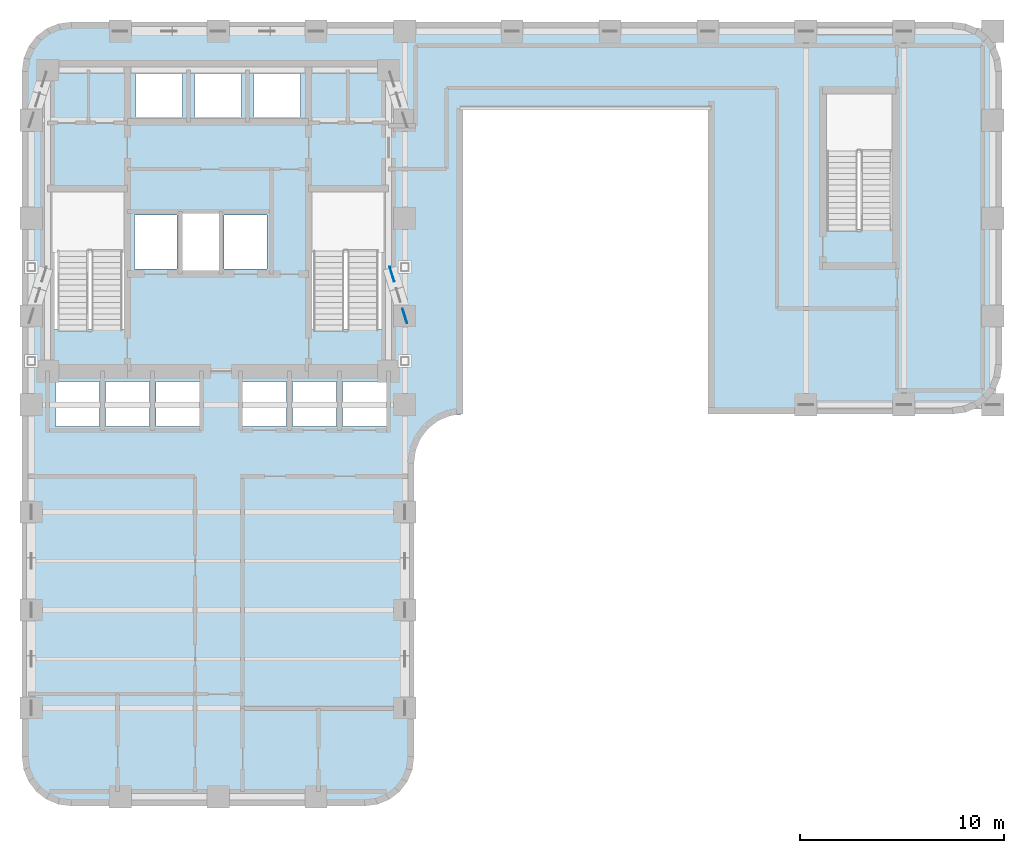
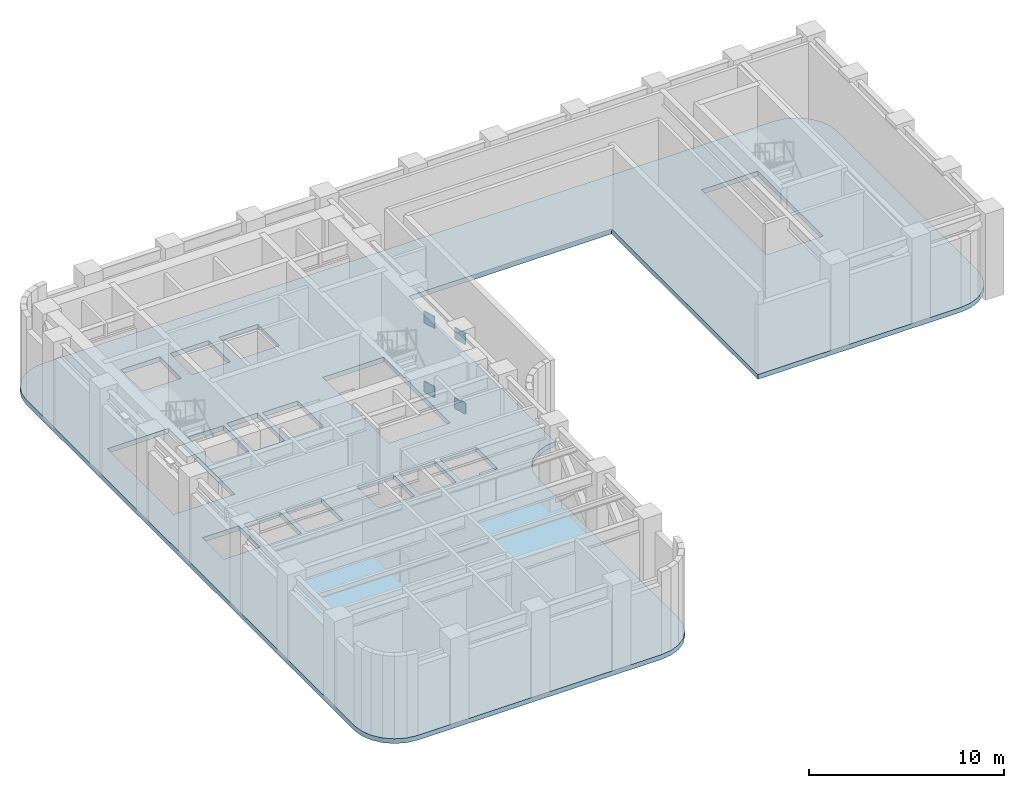
# One storey, part 3 of 9: 4 plates, 1 slab.
"""IFC4 building model written with IfcOpenShell, lengths in metres."""

from ifc_helpers import new_model, si_unit, direction, frame, origin, origin_2d, place, context, subcontext, project, spatial, polyline, rectangle, outline, extrude, material, layer, layer_set, type_object, element, save


model = new_model("IFC4")

# Units and contexts
model_context = context("Model", 3, precision=1e-05, world=origin(), true_north=direction((0.0, 1.0)))
body_context = subcontext(model_context, "Body", "Model", "MODEL_VIEW")
ifc_project = project(units=[si_unit("LENGTHUNIT", "METRE"), si_unit("AREAUNIT", "SQUARE_METRE"), si_unit("VOLUMEUNIT", "CUBIC_METRE"), si_unit("PLANEANGLEUNIT", "RADIAN"), si_unit("MASSUNIT", "GRAM", prefix="KILO")], contexts=[model_context])

# Site, building, storey
site_placement = place(None, origin())
site = spatial("IfcSite", under=ifc_project, at=site_placement, CompositionType="ELEMENT")
building_placement = place(site_placement, origin())
building = spatial("IfcBuilding", under=site, at=building_placement, Name="Orvandelia Arch Residences", CompositionType="ELEMENT")
storey_placement = place(building_placement, frame((0.0, 0.0, 101.800048828125)))
storey = spatial("IfcBuildingStorey", under=building, at=storey_placement, Name="L26", CompositionType="ELEMENT", Elevation=101.800048828125)

# Plates
ifc_material_1 = material(Name="Structural Steel HSA650 (650 MPa)", Category="steel")
ifc_layer_1 = layer(ifc_material_1, 0.0400390625, Name="Structural Steel HSA650 (650 MPa)", Category="steel")
ifc_layer_set_1 = layer_set([ifc_layer_1], Name="Structural Steel HSA650 (650 MPa)")
plate_type = type_object("IfcPlateType", Name="PLT-GUSSET-750", PredefinedType="USERDEFINED", material=ifc_layer_set_1)
for number, where, z_axis, x_axis, name in (
    (1, (23.550048828125, 33.60009765625, -0.074951171875), (0.0, 0.0, 1.0), (-0.293756722797, 0.955880216246, 0.0), "Outrigger End Gusset Plate L26-OE-S-ALO"),
    (2, (22.919921875, 35.64990234375, -0.074951171875), (0.0, 0.0, 1.0), (-0.293756722797, 0.955880216246, 0.0), "Outrigger End Gusset Plate L26-OE-S-BLO"),
    (3, (23.550048828125, 33.60009765625, 4.3349609375), (0.0, 0.0, 1.0), (-0.293756722797, 0.955880216246, 0.0), "Outrigger End Gusset Plate L26-OE-S-AHI"),
    (4, (22.919921875, 35.64990234375, 4.3349609375), (0.0, 0.0, 1.0), (-0.293756722797, 0.955880216246, 0.0), "Outrigger End Gusset Plate L26-OE-S-BHI"),
):
    element("IfcPlate", number, at=place(storey_placement, frame(where, z_axis=z_axis, x_axis=x_axis)), inside=storey, type_object=plate_type, Name=name, ObjectType="GUSSET_PLATE", PredefinedType="USERDEFINED", context=body_context, shape_type="SweptSolid", body=[
        extrude(rectangle(XDim=0.75, YDim=0.0400390625, at=origin_2d()), origin(), (0.0, 0.0, 1.0), 0.75),
    ])

# Slab
ifc_material_2 = material(Name="Concrete C50/60", Category="concrete")
ifc_layer_2 = layer(ifc_material_2, 0.300048828125, Name="Concrete C50/60", Category="concrete")
ifc_layer_set_2 = layer_set([ifc_layer_2], Name="Concrete C50/60")
slab_type = type_object("IfcSlabType", Name="SLB-OUT-300", PredefinedType="FLOOR", material=ifc_layer_set_2)
slab_placement = place(storey_placement, frame((0.0, 0.0, -0.300048828125)))
element("IfcSlab", 5, at=slab_placement, inside=storey, type_object=slab_type, Name="Structural Floor Slab L26-1", PredefinedType="FLOOR", context=body_context, shape_type="SweptSolid", body=[
    extrude(outline(polyline([(4.800048828125, 12.0), (4.8818359375, 11.37890625), (5.12158203125, 10.800048828125), (5.5029296875, 10.302978515625), (6.0, 9.92138671875), (6.578857421875, 9.681884765625), (7.199951171875, 9.60009765625), (21.60009765625, 9.60009765625), (22.22119140625, 9.681884765625), (22.800048828125, 9.92138671875), (23.297119140625, 10.302978515625), (23.678466796875, 10.800048828125), (23.918212890625, 11.37890625), (24.0, 12.0), (24.0, 26.39990234375), (24.081787109375, 27.021240234375), (24.321533203125, 27.60009765625), (24.702880859375, 28.09716796875), (25.199951171875, 28.478515625), (25.77880859375, 28.71826171875), (26.39990234375, 28.800048828125), (26.39990234375, 43.800048828125), (38.39990234375, 43.800048828125), (38.39990234375, 28.800048828125), (50.39990234375, 28.800048828125), (51.021240234375, 28.8818359375), (51.60009765625, 29.12158203125), (52.09716796875, 29.5029296875), (52.478515625, 30.0), (52.71826171875, 30.578857421875), (52.800048828125, 31.199951171875), (52.800048828125, 45.60009765625), (52.71826171875, 46.22119140625), (52.478515625, 46.800048828125), (52.09716796875, 47.297119140625), (51.60009765625, 47.678466796875), (51.021240234375, 47.918212890625), (50.39990234375, 48.0), (7.199951171875, 48.0), (6.578857421875, 47.918212890625), (6.0, 47.678466796875), (5.5029296875, 47.297119140625), (5.12158203125, 46.800048828125), (4.8818359375, 46.22119140625), (4.800048828125, 45.60009765625), (4.800048828125, 12.0)]), holes=[polyline([(6.219970703125, 32.949951171875), (9.840087890625, 32.949951171875), (9.840087890625, 39.72998046875), (6.219970703125, 39.72998046875), (6.219970703125, 32.949951171875)]), polyline([(18.9599609375, 32.949951171875), (22.580078125, 32.949951171875), (22.580078125, 39.72998046875), (18.9599609375, 39.72998046875), (18.9599609375, 32.949951171875)]), polyline([(44.139892578125, 37.85009765625), (47.47998046875, 37.85009765625), (47.47998046875, 44.5400390625), (44.139892578125, 44.5400390625), (44.139892578125, 37.85009765625)]), polyline([(12.639892578125, 35.81005859375), (14.4599609375, 35.81005859375), (14.4599609375, 38.639892578125), (12.639892578125, 38.639892578125), (12.639892578125, 35.81005859375)]), polyline([(10.300048828125, 35.89990234375), (12.39990234375, 35.89990234375), (12.39990234375, 38.550048828125), (10.300048828125, 38.550048828125), (10.300048828125, 35.89990234375)]), polyline([(14.699951171875, 35.89990234375), (16.800048828125, 35.89990234375), (16.800048828125, 38.550048828125), (14.699951171875, 38.550048828125), (14.699951171875, 35.89990234375)]), polyline([(10.35009765625, 43.300048828125), (12.64990234375, 43.300048828125), (12.64990234375, 45.5), (10.35009765625, 45.5), (10.35009765625, 43.300048828125)]), polyline([(13.25, 43.300048828125), (15.550048828125, 43.300048828125), (15.550048828125, 45.5), (13.25, 45.5), (13.25, 43.300048828125)]), polyline([(16.14990234375, 43.300048828125), (18.449951171875, 43.300048828125), (18.449951171875, 45.5), (16.14990234375, 45.5), (16.14990234375, 43.300048828125)]), polyline([(6.449951171875, 28.199951171875), (8.60009765625, 28.199951171875), (8.60009765625, 30.39990234375), (6.449951171875, 30.39990234375), (6.449951171875, 28.199951171875)]), polyline([(8.89990234375, 28.199951171875), (11.050048828125, 28.199951171875), (11.050048828125, 30.39990234375), (8.89990234375, 30.39990234375), (8.89990234375, 28.199951171875)]), polyline([(11.35009765625, 28.199951171875), (13.5, 28.199951171875), (13.5, 30.39990234375), (11.35009765625, 30.39990234375), (11.35009765625, 28.199951171875)]), polyline([(15.60009765625, 28.199951171875), (17.75, 28.199951171875), (17.75, 30.39990234375), (15.60009765625, 30.39990234375), (15.60009765625, 28.199951171875)]), polyline([(18.050048828125, 28.199951171875), (20.199951171875, 28.199951171875), (20.199951171875, 30.39990234375), (18.050048828125, 30.39990234375), (18.050048828125, 28.199951171875)]), polyline([(20.5, 28.199951171875), (22.64990234375, 28.199951171875), (22.64990234375, 30.39990234375), (20.5, 30.39990234375), (20.5, 28.199951171875)])]), origin(), (0.0, 0.0, 1.0), 0.300048828125),
])

save(model, "model.ifc")
